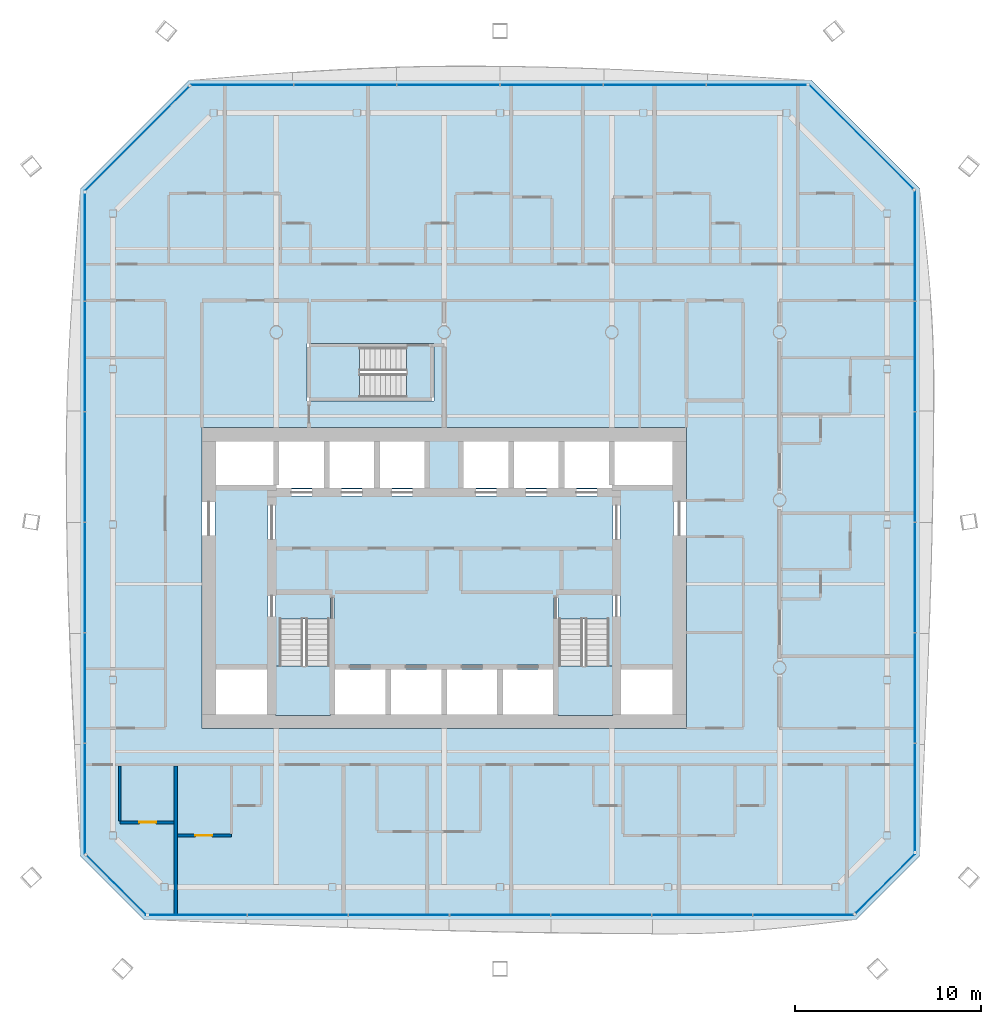
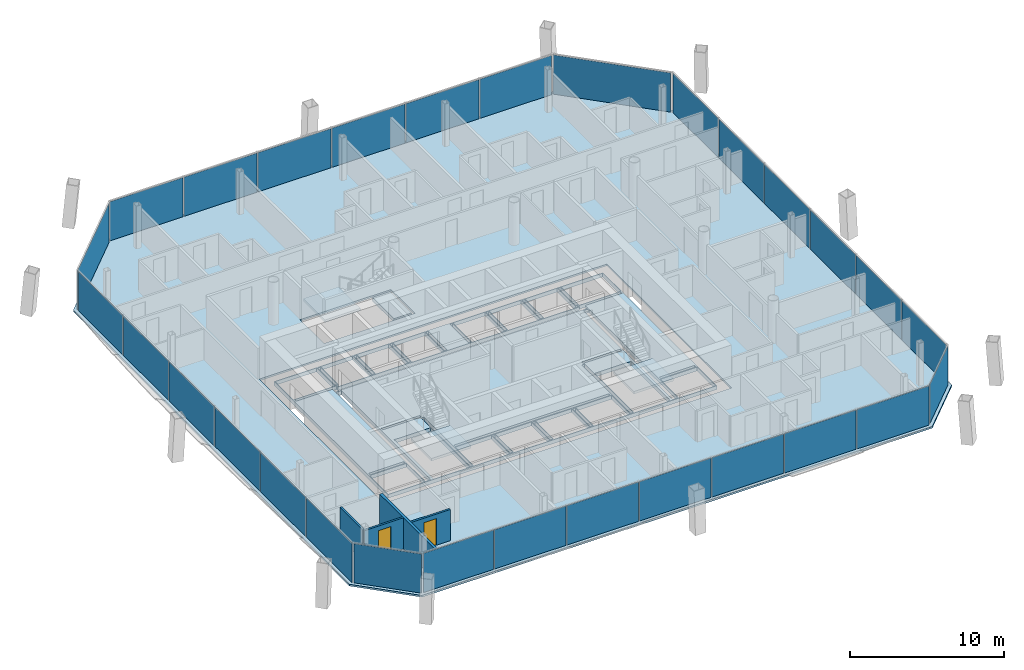
# One storey, part 10 of 18: 29 plates, 6 slabs, 4 walls, 2 doors, 2 openings, 11 elements without a shape of their own.
"""IFC4 building model written with IfcOpenShell, lengths in metres."""

from ifc_helpers import new_model, si_unit, direction, frame, frame_2d, origin, origin_2d, place, context, subcontext, project, spatial, polyline, rectangle, outline, extrude, material, layer, layer_set, type_object, element, fill, aggregate, save


model = new_model("IFC4")

# Units and contexts
model_context = context("Model", 3, precision=1e-05, world=origin(), true_north=direction((0.0, 1.0)))
body_context = subcontext(model_context, "Body", "Model", "MODEL_VIEW")
ifc_project = project(units=[si_unit("LENGTHUNIT", "METRE"), si_unit("AREAUNIT", "SQUARE_METRE"), si_unit("VOLUMEUNIT", "CUBIC_METRE"), si_unit("PLANEANGLEUNIT", "RADIAN"), si_unit("MASSUNIT", "GRAM", prefix="KILO")], contexts=[model_context])

# Site, building, storey
site_placement = place(None, origin())
site = spatial("IfcSite", under=ifc_project, at=site_placement, CompositionType="ELEMENT")
building_placement = place(site_placement, origin())
building = spatial("IfcBuilding", under=site, at=building_placement, Name="Tskaro Facet Tower", CompositionType="ELEMENT")
storey_placement = place(building_placement, frame((0.0, 0.0, 145.300048828125)))
storey = spatial("IfcBuildingStorey", under=building, at=storey_placement, Name="L35", CompositionType="ELEMENT", Elevation=145.300048828125)

# Slab
ifc_material_1 = material(Name="Concrete C30/37", Category="concrete")
ifc_layer_1 = layer(ifc_material_1, 0.139892578125, Name="Concrete C30/37")
ifc_layer_set_1 = layer_set([ifc_layer_1], Name="Concrete C30/37")
slab_type_1 = type_object("IfcSlabType", Name="Composite deck floor slab", PredefinedType="FLOOR", material=ifc_layer_set_1)
slab_1_placement = place(storey_placement, frame((0.0, 0.0, -0.14013671875)))
element("IfcSlab", 1, at=slab_1_placement, inside=storey, type_object=slab_type_1, Name="Floor slab FS3 L35", PredefinedType="FLOOR", context=body_context, shape_type="SweptSolid", body=[
    extrude(outline(polyline([(-16.0869140625, -22.52197265625), (22.0869140625, -22.52197265625), (25.52197265625, -19.0869140625), (25.52197265625, 16.696044921875), (19.696044921875, 22.52197265625), (-13.696044921875, 22.52197265625), (-19.52197265625, 16.696044921875), (-19.52197265625, -19.0869140625), (-16.0869140625, -22.52197265625)]), holes=[polyline([(-13.0, -12.25), (13.0, -12.25), (13.0, 3.89990234375), (-13.0, 3.89990234375), (-13.0, -12.25)]), polyline([(-7.35009765625, 5.300048828125), (-0.550048828125, 5.300048828125), (-0.550048828125, 8.39990234375), (-7.35009765625, 8.39990234375), (-7.35009765625, 5.300048828125)])]), origin(), (0.0, 0.0, 1.0), 0.14013671875),
])

# Curtain wall, plates
ifc_material_2 = material(Name="Bronze anodised aluminium 6063-T6", Category="aluminium")
curtain_wall_type = type_object("IfcCurtainWallType", Name="Bronze hotel curtain wall (FW2)", PredefinedType="NOTDEFINED", material=ifc_material_2)
curtain_wall_1_placement = place(storey_placement, origin())
curtain_wall_1 = element("IfcCurtainWall", 2, at=curtain_wall_1_placement, inside=storey, type_object=curtain_wall_type, Name="FW2 south facet L35", PredefinedType="NOTDEFINED")
ifc_material_3 = material(Name="Bronze solar control glass", Category="glass")
ifc_layer_2 = layer(ifc_material_3, 0.030029296875, Name="Bronze solar control glass")
ifc_layer_set_2 = layer_set([ifc_layer_2], Name="Bronze solar control glass")
plate_type = type_object("IfcPlateType", Name="FW2 bronze-tinted unit glazing 30", PredefinedType="CURTAIN_PANEL", material=ifc_layer_set_2)
plate_1_placement = place(storey_placement, frame((-13.211181640625, -22.27197265625, 0.0), z_axis=(0.0, 0.0, 1.0), x_axis=(1.0, 0.0, 0.0)))
plate_1 = element("IfcPlate", 3, at=plate_1_placement, type_object=plate_type, Name="FW2 south glazing 1.1", PredefinedType="CURTAIN_PANEL", context=body_context, shape_type="SweptSolid", body=[
    extrude(rectangle(XDim=5.24365234375, YDim=0.030029296875, at=origin_2d()), origin(), (0.0, 0.0, 1.0), 3.10009765625),
])
plate_2_placement = place(storey_placement, frame((-7.847412109375, -22.27197265625, 0.0), z_axis=(0.0, 0.0, 1.0), x_axis=(1.0, 0.0, 0.0)))
plate_2 = element("IfcPlate", 4, at=plate_2_placement, type_object=plate_type, Name="FW2 south glazing 2.1", PredefinedType="CURTAIN_PANEL", context=body_context, shape_type="SweptSolid", body=[
    extrude(rectangle(XDim=5.36376953125, YDim=0.030029296875, at=origin_2d()), origin(), (0.0, 0.0, 1.0), 3.10009765625),
])
plate_3_placement = place(storey_placement, frame((-2.423828125, -22.27197265625, 0.0), z_axis=(0.0, 0.0, 1.0), x_axis=(1.0, 0.0, 0.0)))
plate_3 = element("IfcPlate", 5, at=plate_3_placement, type_object=plate_type, Name="FW2 south glazing 3.1", PredefinedType="CURTAIN_PANEL", context=body_context, shape_type="SweptSolid", body=[
    extrude(rectangle(XDim=5.36376953125, YDim=0.030029296875, at=origin_2d()), origin(), (0.0, 0.0, 1.0), 3.10009765625),
])
plate_4_placement = place(storey_placement, frame((3.0, -22.27197265625, 0.0), z_axis=(0.0, 0.0, 1.0), x_axis=(1.0, 0.0, 0.0)))
plate_4 = element("IfcPlate", 6, at=plate_4_placement, type_object=plate_type, Name="FW2 south glazing 4.1", PredefinedType="CURTAIN_PANEL", context=body_context, shape_type="SweptSolid", body=[
    extrude(rectangle(XDim=5.36376953125, YDim=0.030029296875, at=origin_2d()), origin(), (0.0, 0.0, 1.0), 3.10009765625),
])
plate_5_placement = place(storey_placement, frame((8.423828125, -22.27197265625, 0.0), z_axis=(0.0, 0.0, 1.0), x_axis=(1.0, 0.0, 0.0)))
plate_5 = element("IfcPlate", 7, at=plate_5_placement, type_object=plate_type, Name="FW2 south glazing 5.1", PredefinedType="CURTAIN_PANEL", context=body_context, shape_type="SweptSolid", body=[
    extrude(rectangle(XDim=5.36376953125, YDim=0.030029296875, at=origin_2d()), origin(), (0.0, 0.0, 1.0), 3.10009765625),
])
plate_6_placement = place(storey_placement, frame((13.847412109375, -22.27197265625, 0.0), z_axis=(0.0, 0.0, 1.0), x_axis=(1.0, 0.0, 0.0)))
plate_6 = element("IfcPlate", 8, at=plate_6_placement, type_object=plate_type, Name="FW2 south glazing 6.1", PredefinedType="CURTAIN_PANEL", context=body_context, shape_type="SweptSolid", body=[
    extrude(rectangle(XDim=5.36376953125, YDim=0.030029296875, at=origin_2d()), origin(), (0.0, 0.0, 1.0), 3.10009765625),
])
plate_7_placement = place(storey_placement, frame((19.2861328125, -22.27197265625, 0.0), z_axis=(0.0, 0.0, 1.0), x_axis=(1.0, 0.0, 0.0)))
plate_7 = element("IfcPlate", 9, at=plate_7_placement, type_object=plate_type, Name="FW2 south glazing 7.1", PredefinedType="CURTAIN_PANEL", context=body_context, shape_type="SweptSolid", body=[
    extrude(rectangle(XDim=5.393798828125, YDim=0.030029296875, at=origin_2d()), origin(), (0.0, 0.0, 1.0), 3.10009765625),
])
aggregate(curtain_wall_1, [plate_1, plate_2, plate_3, plate_4, plate_5, plate_6, plate_7])

# Curtain wall, plate
curtain_wall_2_placement = place(storey_placement, origin())
curtain_wall_2 = element("IfcCurtainWall", 10, at=curtain_wall_2_placement, inside=storey, type_object=curtain_wall_type, Name="FW2 south-east facet L35", PredefinedType="NOTDEFINED")
plate_8_placement = place(storey_placement, frame((23.680419921875, -20.574462890625, 0.0), z_axis=(0.0, 0.0, 1.0), x_axis=(0.707106781187, 0.707106781187, 0.0)))
plate_8 = element("IfcPlate", 11, at=plate_8_placement, type_object=plate_type, Name="FW2 south-east glazing 1.1", PredefinedType="CURTAIN_PANEL", context=body_context, shape_type="SweptSolid", body=[
    extrude(rectangle(XDim=4.50146484375, YDim=0.030029296875, at=origin_2d()), origin(), (0.0, 0.0, 1.0), 3.10009765625),
])
aggregate(curtain_wall_2, [plate_8])

# Curtain wall, plates
curtain_wall_3_placement = place(storey_placement, origin())
curtain_wall_3 = element("IfcCurtainWall", 12, at=curtain_wall_3_placement, inside=storey, type_object=curtain_wall_type, Name="FW2 east facet L35", PredefinedType="NOTDEFINED")
plate_9_placement = place(storey_placement, frame((25.27197265625, -15.95849609375, 0.0), z_axis=(0.0, 0.0, 1.0), x_axis=(0.0, 1.0, 0.0)))
plate_9 = element("IfcPlate", 13, at=plate_9_placement, type_object=plate_type, Name="FW2 east glazing 1.1", PredefinedType="CURTAIN_PANEL", context=body_context, shape_type="SweptSolid", body=[
    extrude(rectangle(XDim=5.749267578125, YDim=0.030029296875, at=origin_2d()), origin(), (0.0, 0.0, 1.0), 3.10009765625),
])
plate_10_placement = place(storey_placement, frame((25.27197265625, -10.08935546875, 0.0), z_axis=(0.0, 0.0, 1.0), x_axis=(0.0, 1.0, 0.0)))
plate_10 = element("IfcPlate", 14, at=plate_10_placement, type_object=plate_type, Name="FW2 east glazing 2.1", PredefinedType="CURTAIN_PANEL", context=body_context, shape_type="SweptSolid", body=[
    extrude(rectangle(XDim=5.869140625, YDim=0.030029296875, at=origin_2d()), origin(), (0.0, 0.0, 1.0), 3.10009765625),
])
plate_11_placement = place(storey_placement, frame((25.27197265625, -4.16015625, 0.0), z_axis=(0.0, 0.0, 1.0), x_axis=(0.0, 1.0, 0.0)))
plate_11 = element("IfcPlate", 15, at=plate_11_placement, type_object=plate_type, Name="FW2 east glazing 3.1", PredefinedType="CURTAIN_PANEL", context=body_context, shape_type="SweptSolid", body=[
    extrude(rectangle(XDim=5.869140625, YDim=0.030029296875, at=origin_2d()), origin(), (0.0, 0.0, 1.0), 3.10009765625),
])
plate_12_placement = place(storey_placement, frame((25.27197265625, 1.76904296875, 0.0), z_axis=(0.0, 0.0, 1.0), x_axis=(0.0, 1.0, 0.0)))
plate_12 = element("IfcPlate", 16, at=plate_12_placement, type_object=plate_type, Name="FW2 east glazing 4.1", PredefinedType="CURTAIN_PANEL", context=body_context, shape_type="SweptSolid", body=[
    extrude(rectangle(XDim=5.869140625, YDim=0.030029296875, at=origin_2d()), origin(), (0.0, 0.0, 1.0), 3.10009765625),
])
plate_13_placement = place(storey_placement, frame((25.27197265625, 7.6982421875, 0.0), z_axis=(0.0, 0.0, 1.0), x_axis=(0.0, 1.0, 0.0)))
plate_13 = element("IfcPlate", 17, at=plate_13_placement, type_object=plate_type, Name="FW2 east glazing 5.1", PredefinedType="CURTAIN_PANEL", context=body_context, shape_type="SweptSolid", body=[
    extrude(rectangle(XDim=5.869140625, YDim=0.030029296875, at=origin_2d()), origin(), (0.0, 0.0, 1.0), 3.10009765625),
])
plate_14_placement = place(storey_placement, frame((25.27197265625, 13.642333984375, 0.0), z_axis=(0.0, 0.0, 1.0), x_axis=(0.0, 1.0, 0.0)))
plate_14 = element("IfcPlate", 18, at=plate_14_placement, type_object=plate_type, Name="FW2 east glazing 6.1", PredefinedType="CURTAIN_PANEL", context=body_context, shape_type="SweptSolid", body=[
    extrude(rectangle(XDim=5.899169921875, YDim=0.030029296875, at=origin_2d()), origin(), (0.0, 0.0, 1.0), 3.10009765625),
])
aggregate(curtain_wall_3, [plate_9, plate_10, plate_11, plate_12, plate_13, plate_14])

# Curtain wall, plate
curtain_wall_4_placement = place(storey_placement, origin())
curtain_wall_4 = element("IfcCurtainWall", 19, at=curtain_wall_4_placement, inside=storey, type_object=curtain_wall_type, Name="FW2 north-east facet L35", PredefinedType="NOTDEFINED")
plate_15_placement = place(storey_placement, frame((22.37890625, 19.485107421875, 0.0), z_axis=(0.0, 0.0, 1.0), x_axis=(-0.707106781187, 0.707106781187, 0.0)))
plate_15 = element("IfcPlate", 20, at=plate_15_placement, type_object=plate_type, Name="FW2 north-east glazing 1.1", PredefinedType="CURTAIN_PANEL", context=body_context, shape_type="SweptSolid", body=[
    extrude(rectangle(XDim=7.8828125, YDim=0.030029296875, at=origin_2d()), origin(), (0.0, 0.0, 1.0), 3.10009765625),
])
aggregate(curtain_wall_4, [plate_15])

# Curtain wall, plates
curtain_wall_5_placement = place(storey_placement, origin())
curtain_wall_5 = element("IfcCurtainWall", 21, at=curtain_wall_5_placement, inside=storey, type_object=curtain_wall_type, Name="FW2 north facet L35", PredefinedType="NOTDEFINED")
plate_16_placement = place(storey_placement, frame((16.7666015625, 22.27197265625, 0.0), z_axis=(0.0, 0.0, 1.0), x_axis=(-1.0, 0.0, 0.0)))
plate_16 = element("IfcPlate", 22, at=plate_16_placement, type_object=plate_type, Name="FW2 north glazing 1.1", PredefinedType="CURTAIN_PANEL", context=body_context, shape_type="SweptSolid", body=[
    extrude(rectangle(XDim=5.3505859375, YDim=0.030029296875, at=origin_2d()), origin(), (0.0, 0.0, 1.0), 3.10009765625),
])
plate_17_placement = place(storey_placement, frame((11.2958984375, 22.27197265625, 0.0), z_axis=(0.0, 0.0, 1.0), x_axis=(-1.0, 0.0, 0.0)))
plate_17 = element("IfcPlate", 23, at=plate_17_placement, type_object=plate_type, Name="FW2 north glazing 2.1", PredefinedType="CURTAIN_PANEL", context=body_context, shape_type="SweptSolid", body=[
    extrude(rectangle(XDim=5.470703125, YDim=0.030029296875, at=origin_2d()), origin(), (0.0, 0.0, 1.0), 3.10009765625),
])
plate_18_placement = place(storey_placement, frame((5.765380859375, 22.27197265625, 0.0), z_axis=(0.0, 0.0, 1.0), x_axis=(-1.0, 0.0, 0.0)))
plate_18 = element("IfcPlate", 24, at=plate_18_placement, type_object=plate_type, Name="FW2 north glazing 3.1", PredefinedType="CURTAIN_PANEL", context=body_context, shape_type="SweptSolid", body=[
    extrude(rectangle(XDim=5.470703125, YDim=0.030029296875, at=origin_2d()), origin(), (0.0, 0.0, 1.0), 3.10009765625),
])
plate_19_placement = place(storey_placement, frame((0.234619140625, 22.27197265625, 0.0), z_axis=(0.0, 0.0, 1.0), x_axis=(-1.0, 0.0, 0.0)))
plate_19 = element("IfcPlate", 25, at=plate_19_placement, type_object=plate_type, Name="FW2 north glazing 4.1", PredefinedType="CURTAIN_PANEL", context=body_context, shape_type="SweptSolid", body=[
    extrude(rectangle(XDim=5.470703125, YDim=0.030029296875, at=origin_2d()), origin(), (0.0, 0.0, 1.0), 3.10009765625),
])
plate_20_placement = place(storey_placement, frame((-5.2958984375, 22.27197265625, 0.0), z_axis=(0.0, 0.0, 1.0), x_axis=(-1.0, 0.0, 0.0)))
plate_20 = element("IfcPlate", 26, at=plate_20_placement, type_object=plate_type, Name="FW2 north glazing 5.1", PredefinedType="CURTAIN_PANEL", context=body_context, shape_type="SweptSolid", body=[
    extrude(rectangle(XDim=5.470703125, YDim=0.030029296875, at=origin_2d()), origin(), (0.0, 0.0, 1.0), 3.10009765625),
])
plate_21_placement = place(storey_placement, frame((-10.841552734375, 22.27197265625, 0.0), z_axis=(0.0, 0.0, 1.0), x_axis=(-1.0, 0.0, 0.0)))
plate_21 = element("IfcPlate", 27, at=plate_21_placement, type_object=plate_type, Name="FW2 north glazing 6.1", PredefinedType="CURTAIN_PANEL", context=body_context, shape_type="SweptSolid", body=[
    extrude(rectangle(XDim=5.500732421875, YDim=0.030029296875, at=origin_2d()), origin(), (0.0, 0.0, 1.0), 3.10009765625),
])
aggregate(curtain_wall_5, [plate_16, plate_17, plate_18, plate_19, plate_20, plate_21])

# Curtain wall, plate
curtain_wall_6_placement = place(storey_placement, origin())
curtain_wall_6 = element("IfcCurtainWall", 28, at=curtain_wall_6_placement, inside=storey, type_object=curtain_wall_type, Name="FW2 north-west facet L35", PredefinedType="NOTDEFINED")
plate_22_placement = place(storey_placement, frame((-16.485107421875, 19.37890625, 0.0), z_axis=(0.0, 0.0, 1.0), x_axis=(-0.707106781187, -0.707106781187, 0.0)))
plate_22 = element("IfcPlate", 29, at=plate_22_placement, type_object=plate_type, Name="FW2 north-west glazing 1.1", PredefinedType="CURTAIN_PANEL", context=body_context, shape_type="SweptSolid", body=[
    extrude(rectangle(XDim=7.8828125, YDim=0.030029296875, at=origin_2d()), origin(), (0.0, 0.0, 1.0), 3.10009765625),
])
aggregate(curtain_wall_6, [plate_22])

# Curtain wall, plates
curtain_wall_7_placement = place(storey_placement, origin())
curtain_wall_7 = element("IfcCurtainWall", 30, at=curtain_wall_7_placement, inside=storey, type_object=curtain_wall_type, Name="FW2 west facet L35", PredefinedType="NOTDEFINED")
plate_23_placement = place(storey_placement, frame((-19.27197265625, 13.5673828125, 0.0), z_axis=(0.0, 0.0, 1.0), x_axis=(0.0, -1.0, 0.0)))
plate_23 = element("IfcPlate", 31, at=plate_23_placement, type_object=plate_type, Name="FW2 west glazing 1.1", PredefinedType="CURTAIN_PANEL", context=body_context, shape_type="SweptSolid", body=[
    extrude(rectangle(XDim=5.749267578125, YDim=0.030029296875, at=origin_2d()), origin(), (0.0, 0.0, 1.0), 3.10009765625),
])
plate_24_placement = place(storey_placement, frame((-19.27197265625, 7.6982421875, 0.0), z_axis=(0.0, 0.0, 1.0), x_axis=(0.0, -1.0, 0.0)))
plate_24 = element("IfcPlate", 32, at=plate_24_placement, type_object=plate_type, Name="FW2 west glazing 2.1", PredefinedType="CURTAIN_PANEL", context=body_context, shape_type="SweptSolid", body=[
    extrude(rectangle(XDim=5.869140625, YDim=0.030029296875, at=origin_2d()), origin(), (0.0, 0.0, 1.0), 3.10009765625),
])
plate_25_placement = place(storey_placement, frame((-19.27197265625, 1.76904296875, 0.0), z_axis=(0.0, 0.0, 1.0), x_axis=(0.0, -1.0, 0.0)))
plate_25 = element("IfcPlate", 33, at=plate_25_placement, type_object=plate_type, Name="FW2 west glazing 3.1", PredefinedType="CURTAIN_PANEL", context=body_context, shape_type="SweptSolid", body=[
    extrude(rectangle(XDim=5.869140625, YDim=0.030029296875, at=origin_2d()), origin(), (0.0, 0.0, 1.0), 3.10009765625),
])
plate_26_placement = place(storey_placement, frame((-19.27197265625, -4.16015625, 0.0), z_axis=(0.0, 0.0, 1.0), x_axis=(0.0, -1.0, 0.0)))
plate_26 = element("IfcPlate", 34, at=plate_26_placement, type_object=plate_type, Name="FW2 west glazing 4.1", PredefinedType="CURTAIN_PANEL", context=body_context, shape_type="SweptSolid", body=[
    extrude(rectangle(XDim=5.869140625, YDim=0.030029296875, at=origin_2d()), origin(), (0.0, 0.0, 1.0), 3.10009765625),
])
plate_27_placement = place(storey_placement, frame((-19.27197265625, -10.08935546875, 0.0), z_axis=(0.0, 0.0, 1.0), x_axis=(0.0, -1.0, 0.0)))
plate_27 = element("IfcPlate", 35, at=plate_27_placement, type_object=plate_type, Name="FW2 west glazing 5.1", PredefinedType="CURTAIN_PANEL", context=body_context, shape_type="SweptSolid", body=[
    extrude(rectangle(XDim=5.869140625, YDim=0.030029296875, at=origin_2d()), origin(), (0.0, 0.0, 1.0), 3.10009765625),
])
plate_28_placement = place(storey_placement, frame((-19.27197265625, -16.033447265625, 0.0), z_axis=(0.0, 0.0, 1.0), x_axis=(0.0, -1.0, 0.0)))
plate_28 = element("IfcPlate", 36, at=plate_28_placement, type_object=plate_type, Name="FW2 west glazing 6.1", PredefinedType="CURTAIN_PANEL", context=body_context, shape_type="SweptSolid", body=[
    extrude(rectangle(XDim=5.899169921875, YDim=0.030029296875, at=origin_2d()), origin(), (0.0, 0.0, 1.0), 3.10009765625),
])
aggregate(curtain_wall_7, [plate_23, plate_24, plate_25, plate_26, plate_27, plate_28])

# Curtain wall, plate
curtain_wall_8_placement = place(storey_placement, origin())
curtain_wall_8 = element("IfcCurtainWall", 37, at=curtain_wall_8_placement, inside=storey, type_object=curtain_wall_type, Name="FW2 south-west facet L35", PredefinedType="NOTDEFINED")
plate_29_placement = place(storey_placement, frame((-17.574462890625, -20.680419921875, 0.0), z_axis=(0.0, 0.0, 1.0), x_axis=(0.707106781187, -0.707106781187, 0.0)))
plate_29 = element("IfcPlate", 38, at=plate_29_placement, type_object=plate_type, Name="FW2 south-west glazing 1.1", PredefinedType="CURTAIN_PANEL", context=body_context, shape_type="SweptSolid", body=[
    extrude(rectangle(XDim=4.50146484375, YDim=0.030029296875, at=origin_2d()), origin(), (0.0, 0.0, 1.0), 3.10009765625),
])
aggregate(curtain_wall_8, [plate_29])

# Stair, slab
ifc_material_4 = material(Name="Concrete C40/50", Category="concrete")
stair_type = type_object("IfcStairType", Name="ST-TWR", PredefinedType="HALF_TURN_STAIR", material=ifc_material_4)
stair_1_placement = place(storey_placement, origin())
stair_1 = element("IfcStair", 39, at=stair_1_placement, inside=storey, type_object=stair_type, Name="L35 Exit stair 1", PredefinedType="HALF_TURN_STAIR")
ifc_layer_3 = layer(ifc_material_4, 0.199951171875, Name="Concrete C40/50")
ifc_layer_set_3 = layer_set([ifc_layer_3], Name="Concrete C40/50")
slab_type_2 = type_object("IfcSlabType", Name="SL-LANDING", PredefinedType="LANDING", material=ifc_layer_set_3)
slab_2_placement = place(storey_placement, frame((0.0, 0.0, 1.5)))
slab_2 = element("IfcSlab", 40, at=slab_2_placement, type_object=slab_type_2, Name="ST-1 landing 1", PredefinedType="LANDING", context=body_context, shape_type="SweptSolid", body=[
    extrude(outline(polyline([(-9.050048828125, -11.550048828125), (-6.10009765625, -11.550048828125), (-6.10009765625, -8.89501953125), (-9.050048828125, -8.89501953125), (-9.050048828125, -11.550048828125)])), origin(), (0.0, 0.0, 1.0), 0.199951171875),
])
aggregate(stair_1, [slab_2])

stair_2_placement = place(storey_placement, origin())
stair_2 = element("IfcStair", 41, at=stair_2_placement, inside=storey, type_object=stair_type, Name="L35 Exit stair 2", PredefinedType="HALF_TURN_STAIR")
slab_3_placement = place(storey_placement, frame((0.0, 0.0, 1.5)))
slab_3 = element("IfcSlab", 42, at=slab_3_placement, type_object=slab_type_2, Name="ST-2 landing 1", PredefinedType="LANDING", context=body_context, shape_type="SweptSolid", body=[
    extrude(outline(polyline([(6.10009765625, -11.550048828125), (9.050048828125, -11.550048828125), (9.050048828125, -8.89501953125), (6.10009765625, -8.89501953125), (6.10009765625, -11.550048828125)])), origin(), (0.0, 0.0, 1.0), 0.199951171875),
])
aggregate(stair_2, [slab_3])

stair_3_placement = place(storey_placement, origin())
stair_3 = element("IfcStair", 43, at=stair_3_placement, inside=storey, type_object=stair_type, Name="L35 Exit stair 3", PredefinedType="HALF_TURN_STAIR")
slab_4_placement = place(storey_placement, frame((0.0, 0.0, 1.5)))
slab_4 = element("IfcSlab", 44, at=slab_4_placement, type_object=slab_type_2, Name="ST-3 landing 1", PredefinedType="LANDING", context=body_context, shape_type="SweptSolid", body=[
    extrude(outline(polyline([(-7.199951171875, 5.449951171875), (-4.544921875, 5.449951171875), (-4.544921875, 8.25), (-7.199951171875, 8.25), (-7.199951171875, 5.449951171875)])), origin(), (0.0, 0.0, 1.0), 0.199951171875),
])
aggregate(stair_3, [slab_4])

# Slabs
ifc_material_5 = material(Name="Concrete C60/75", Category="concrete")
ifc_layer_4 = layer(ifc_material_5, 0.300048828125, Name="Concrete C60/75")
ifc_layer_set_4 = layer_set([ifc_layer_4], Name="Concrete C60/75")
slab_type_3 = type_object("IfcSlabType", Name="SLAB-CORE", PredefinedType="FLOOR", material=ifc_layer_set_4)
slab_5_placement = place(storey_placement, frame((0.0, 0.0, -0.300048828125)))
element("IfcSlab", 45, at=slab_5_placement, inside=storey, type_object=slab_type_3, Name="Core floor slab 1", PredefinedType="FLOOR", context=body_context, shape_type="SweptSolid", body=[
    extrude(outline(polyline([(-12.300048828125, 3.199951171875), (12.300048828125, 3.199951171875), (12.300048828125, 3.10009765625), (12.300048828125, -11.449951171875), (12.300048828125, -11.550048828125), (-12.300048828125, -11.550048828125), (-12.300048828125, -11.449951171875), (-12.300048828125, 3.10009765625), (-12.300048828125, 3.199951171875)]), holes=[polyline([(-9.5, -9.10009765625), (-12.25, -9.10009765625), (-12.25, -11.5), (-9.5, -11.5), (-9.5, -9.10009765625)]), polyline([(-5.85009765625, -9.10009765625), (-5.85009765625, -11.5), (-3.14990234375, -11.5), (-3.14990234375, -9.10009765625), (-5.85009765625, -9.10009765625)]), polyline([(-12.199951171875, -9.050048828125), (-9.550048828125, -9.050048828125), (-9.550048828125, -8.85009765625), (-12.199951171875, -8.85009765625), (-12.199951171875, -9.050048828125)]), polyline([(-6.10009765625, -5.14990234375), (-6.10009765625, -11.449951171875), (-5.89990234375, -11.449951171875), (-5.89990234375, -5.14990234375), (-6.10009765625, -5.14990234375)]), polyline([(-9.449951171875, 0.10009765625), (-9.449951171875, -11.449951171875), (-9.050048828125, -11.449951171875), (-9.050048828125, 0.10009765625), (-9.449951171875, 0.10009765625)]), polyline([(-8.949951171875, -5.050048828125), (-6.050048828125, -5.050048828125), (-6.050048828125, -4.85009765625), (-8.949951171875, -4.85009765625), (-8.949951171875, -5.050048828125)]), polyline([(9.449951171875, 0.199951171875), (9.449951171875, 0.550048828125), (12.199951171875, 0.550048828125), (12.199951171875, 0.75), (9.050048828125, 0.75), (9.050048828125, 0.60009765625), (-9.050048828125, 0.60009765625), (-9.050048828125, 0.75), (-12.199951171875, 0.75), (-12.199951171875, 0.550048828125), (-9.449951171875, 0.550048828125), (-9.449951171875, 0.199951171875), (9.449951171875, 0.199951171875)]), polyline([(-8.85009765625, 0.800048828125), (-9.0, 0.800048828125), (-9.0, 0.64990234375), (-6.449951171875, 0.64990234375), (-6.449951171875, 3.14990234375), (-8.85009765625, 3.14990234375), (-8.85009765625, 0.800048828125)]), polyline([(-6.14990234375, 0.64990234375), (-3.75, 0.64990234375), (-3.75, 3.14990234375), (-6.14990234375, 3.14990234375), (-6.14990234375, 0.64990234375)]), polyline([(-6.39990234375, 3.10009765625), (-6.39990234375, 0.699951171875), (-6.199951171875, 0.699951171875), (-6.199951171875, 3.10009765625), (-6.39990234375, 3.10009765625)]), polyline([(-9.14990234375, 3.14990234375), (-12.25, 3.14990234375), (-12.25, 0.800048828125), (-9.14990234375, 0.800048828125), (-9.14990234375, 3.14990234375)]), polyline([(-9.10009765625, 0.85009765625), (-8.89990234375, 0.85009765625), (-8.89990234375, 3.10009765625), (-9.10009765625, 3.10009765625), (-9.10009765625, 0.85009765625)]), polyline([(-3.10009765625, -11.449951171875), (-2.89990234375, -11.449951171875), (-2.89990234375, -9.14990234375), (-3.10009765625, -9.14990234375), (-3.10009765625, -11.449951171875)]), polyline([(-0.14990234375, -9.10009765625), (-2.85009765625, -9.10009765625), (-2.85009765625, -11.5), (-0.14990234375, -11.5), (-0.14990234375, -9.10009765625)]), polyline([(-0.10009765625, -9.14990234375), (-0.10009765625, -11.449951171875), (0.10009765625, -11.449951171875), (0.10009765625, -9.14990234375), (-0.10009765625, -9.14990234375)]), polyline([(0.14990234375, -9.10009765625), (0.14990234375, -11.5), (2.85009765625, -11.5), (2.85009765625, -9.10009765625), (0.14990234375, -9.10009765625)]), polyline([(-5.800048828125, -8.85009765625), (-5.800048828125, -9.050048828125), (5.800048828125, -9.050048828125), (5.800048828125, -8.85009765625), (-5.800048828125, -8.85009765625)]), polyline([(-1.050048828125, 0.64990234375), (-1.050048828125, 3.14990234375), (-3.449951171875, 3.14990234375), (-3.449951171875, 0.64990234375), (-1.050048828125, 0.64990234375)]), polyline([(3.449951171875, 0.64990234375), (3.449951171875, 3.14990234375), (1.050048828125, 3.14990234375), (1.050048828125, 0.64990234375), (3.449951171875, 0.64990234375)]), polyline([(-3.699951171875, 0.699951171875), (-3.5, 0.699951171875), (-3.5, 3.10009765625), (-3.699951171875, 3.10009765625), (-3.699951171875, 0.699951171875)]), polyline([(-1.0, 3.10009765625), (-1.0, 0.699951171875), (-0.800048828125, 0.699951171875), (-0.800048828125, 3.10009765625), (-1.0, 3.10009765625)]), polyline([(0.800048828125, 3.10009765625), (0.800048828125, 0.699951171875), (1.0, 0.699951171875), (1.0, 3.10009765625), (0.800048828125, 3.10009765625)]), polyline([(2.89990234375, -11.449951171875), (3.10009765625, -11.449951171875), (3.10009765625, -9.14990234375), (2.89990234375, -9.14990234375), (2.89990234375, -11.449951171875)]), polyline([(5.85009765625, -9.10009765625), (3.14990234375, -9.10009765625), (3.14990234375, -11.5), (5.85009765625, -11.5), (5.85009765625, -9.10009765625)]), polyline([(12.25, -11.5), (12.25, -9.10009765625), (9.5, -9.10009765625), (9.5, -11.5), (12.25, -11.5)]), polyline([(9.550048828125, -9.050048828125), (12.199951171875, -9.050048828125), (12.199951171875, -8.85009765625), (9.550048828125, -8.85009765625), (9.550048828125, -9.050048828125)]), polyline([(5.89990234375, -5.14990234375), (5.89990234375, -11.449951171875), (6.10009765625, -11.449951171875), (6.10009765625, -5.14990234375), (5.89990234375, -5.14990234375)]), polyline([(9.050048828125, 0.10009765625), (9.050048828125, -11.449951171875), (9.449951171875, -11.449951171875), (9.449951171875, 0.10009765625), (9.050048828125, 0.10009765625)]), polyline([(6.050048828125, -5.050048828125), (8.949951171875, -5.050048828125), (8.949951171875, -4.85009765625), (6.050048828125, -4.85009765625), (6.050048828125, -5.050048828125)]), polyline([(6.14990234375, 0.64990234375), (6.14990234375, 3.14990234375), (3.75, 3.14990234375), (3.75, 0.64990234375), (6.14990234375, 0.64990234375)]), polyline([(9.0, 0.800048828125), (8.85009765625, 0.800048828125), (8.85009765625, 3.14990234375), (6.449951171875, 3.14990234375), (6.449951171875, 0.64990234375), (9.0, 0.64990234375), (9.0, 0.800048828125)]), polyline([(3.5, 3.10009765625), (3.5, 0.699951171875), (3.699951171875, 0.699951171875), (3.699951171875, 3.10009765625), (3.5, 3.10009765625)]), polyline([(6.199951171875, 0.699951171875), (6.39990234375, 0.699951171875), (6.39990234375, 3.10009765625), (6.199951171875, 3.10009765625), (6.199951171875, 0.699951171875)]), polyline([(8.89990234375, 3.10009765625), (8.89990234375, 0.85009765625), (9.10009765625, 0.85009765625), (9.10009765625, 3.10009765625), (8.89990234375, 3.10009765625)]), polyline([(9.14990234375, 0.800048828125), (12.25, 0.800048828125), (12.25, 3.14990234375), (9.14990234375, 3.14990234375), (9.14990234375, 0.800048828125)]), polyline([(-8.85009765625, -11.5), (-6.14990234375, -11.5), (-6.14990234375, -6.39501953125), (-8.85009765625, -6.39501953125), (-8.85009765625, -11.5)]), polyline([(6.14990234375, -6.39501953125), (6.14990234375, -11.5), (8.85009765625, -11.5), (8.85009765625, -6.39501953125), (6.14990234375, -6.39501953125)])]), origin(), (0.0, 0.0, 1.0), 0.300048828125),
])
slab_6_placement = place(storey_placement, frame((0.0, 0.0, -0.300048828125)))
element("IfcSlab", 46, at=slab_6_placement, inside=storey, type_object=slab_type_3, Name="Stair 3 floor landing 1", PredefinedType="FLOOR", context=body_context, shape_type="SweptSolid", body=[
    extrude(outline(polyline([(-2.02490234375, 5.449951171875), (-0.699951171875, 5.449951171875), (-0.699951171875, 8.25), (-2.02490234375, 8.25), (-2.02490234375, 5.449951171875)])), origin(), (0.0, 0.0, 1.0), 0.300048828125),
])

# Wall, opening, door
ifc_material_6 = material(Name="Gypsum board on steel studs", Category="steel")
ifc_layer_5 = layer(ifc_material_6, 0.14990234375, Name="Gypsum board on steel studs")
ifc_layer_set_5 = layer_set([ifc_layer_5], Name="Gypsum board on steel studs")
wall_type_1 = type_object("IfcWallType", Name="PART-CORR", PredefinedType="PARTITIONING", material=ifc_layer_set_5)
wall_1_placement = place(storey_placement, frame((-14.299072265625, -18.0, 0.0), z_axis=(0.0, 0.0, 1.0), x_axis=(1.0, 0.0, 0.0)))
wall_1 = element("IfcWall", 47, at=wall_1_placement, inside=storey, type_object=wall_type_1, Name="Corridor wall W001", PredefinedType="PARTITIONING", context=body_context, shape_type="SweptSolid", body=[
    extrude(rectangle(XDim=2.900146484375, YDim=0.14990234375, at=frame_2d((1.4501953125, 0.0))), origin(), (0.0, 0.0, 1.0), 2.4599609375),
])
opening_1_placement = place(wall_1_placement, frame((0.949951171875, 0.0, 0.0)))
opening_1 = element("IfcOpeningElement", 48, at=opening_1_placement, cuts=wall_1, Name="Opening T10-D01", PredefinedType="OPENING", context=body_context, shape_type="SweptSolid", body=[
    extrude(rectangle(XDim=0.89990234375, YDim=2.10009765625, at=frame_2d((0.449951171875, 1.050048828125))), frame((0.0, 0.0849609375, 0.0), z_axis=(0.0, -1.0, 0.0), x_axis=(1.0, 0.0, 0.0)), (0.0, 0.0, 1.0), 0.169921875),
])
ifc_material_7 = material(Name="Timber", Category="wood")
door_type = type_object("IfcDoorType", Name="D-ROOM", OperationType="NOTDEFINED", PredefinedType="DOOR", material=ifc_material_7)
door_1_placement = place(opening_1_placement, origin())
door_1 = element("IfcDoor", 49, at=door_1_placement, inside=storey, type_object=door_type, Name="Door T10-D01", OperationType="SINGLE_SWING_LEFT", OverallHeight=2.10009765625, OverallWidth=0.89990234375, PredefinedType="DOOR", context=body_context, shape_type="SweptSolid", body=[
    extrude(rectangle(XDim=0.89990234375, YDim=2.10009765625, at=frame_2d((0.449951171875, 1.050048828125))), frame((0.0, 0.02490234375, 0.0), z_axis=(0.0, -1.0, 0.0), x_axis=(1.0, 0.0, 0.0)), (0.0, 0.0, 1.0), 0.050048828125),
])
fill(opening_1, door_1)

wall_2_placement = place(storey_placement, frame((-17.39892578125, -17.300048828125, 0.0), z_axis=(0.0, 0.0, 1.0), x_axis=(1.0, 0.0, 0.0)))
wall_2 = element("IfcWall", 50, at=wall_2_placement, inside=storey, type_object=wall_type_1, Name="Corridor wall W004", PredefinedType="PARTITIONING", context=body_context, shape_type="SweptSolid", body=[
    extrude(rectangle(XDim=2.89990234375, YDim=0.14990234375, at=frame_2d((1.449951171875, 0.0))), origin(), (0.0, 0.0, 1.0), 2.4599609375),
])
opening_2_placement = place(wall_2_placement, frame((1.050048828125, 0.0, 0.0)))
opening_2 = element("IfcOpeningElement", 51, at=opening_2_placement, cuts=wall_2, Name="Opening T10-D06", PredefinedType="OPENING", context=body_context, shape_type="SweptSolid", body=[
    extrude(rectangle(XDim=0.89990234375, YDim=2.10009765625, at=frame_2d((0.449951171875, 1.050048828125))), frame((0.0, 0.0849609375, 0.0), z_axis=(0.0, -1.0, 0.0), x_axis=(1.0, 0.0, 0.0)), (0.0, 0.0, 1.0), 0.169921875),
])
door_2_placement = place(opening_2_placement, origin())
door_2 = element("IfcDoor", 52, at=door_2_placement, inside=storey, type_object=door_type, Name="Door T10-D06", OperationType="SINGLE_SWING_LEFT", OverallHeight=2.10009765625, OverallWidth=0.89990234375, PredefinedType="DOOR", context=body_context, shape_type="SweptSolid", body=[
    extrude(rectangle(XDim=0.89990234375, YDim=2.10009765625, at=frame_2d((0.449951171875, 1.050048828125))), frame((0.0, 0.02490234375, 0.0), z_axis=(0.0, -1.0, 0.0), x_axis=(1.0, 0.0, 0.0)), (0.0, 0.0, 1.0), 0.050048828125),
])
fill(opening_2, door_2)

# Walls
wall_3_placement = place(storey_placement, frame((-17.39892578125, -17.22509765625, 0.0), z_axis=(0.0, 0.0, 1.0), x_axis=(0.0, 1.0, 0.0)))
element("IfcWall", 53, at=wall_3_placement, inside=storey, type_object=wall_type_1, Name="Corridor wall W054", PredefinedType="PARTITIONING", context=body_context, shape_type="SweptSolid", body=[
    extrude(rectangle(XDim=2.9501953125, YDim=0.14990234375, at=frame_2d((1.47509765625, 0.0))), origin(), (0.0, 0.0, 1.0), 2.4599609375),
])
ifc_layer_6 = layer(ifc_material_6, 0.199951171875, Name="Gypsum board on steel studs")
ifc_layer_set_6 = layer_set([ifc_layer_6], Name="Gypsum board on steel studs")
wall_type_2 = type_object("IfcWallType", Name="PART-DEMISING", PredefinedType="PARTITIONING", material=ifc_layer_set_6)
wall_4_placement = place(storey_placement, frame((-14.39892578125, -22.221923828125, 0.0), z_axis=(0.0, 0.0, 1.0), x_axis=(0.0, 1.0, 0.0)))
element("IfcWall", 54, at=wall_4_placement, inside=storey, type_object=wall_type_2, Name="Guest room wall W057", PredefinedType="PARTITIONING", context=body_context, shape_type="SweptSolid", body=[
    extrude(rectangle(XDim=7.947021484375, YDim=0.199951171875, at=frame_2d((3.9736328125, 0.0))), origin(), (0.0, 0.0, 1.0), 2.4599609375),
])

save(model, "model.ifc")
